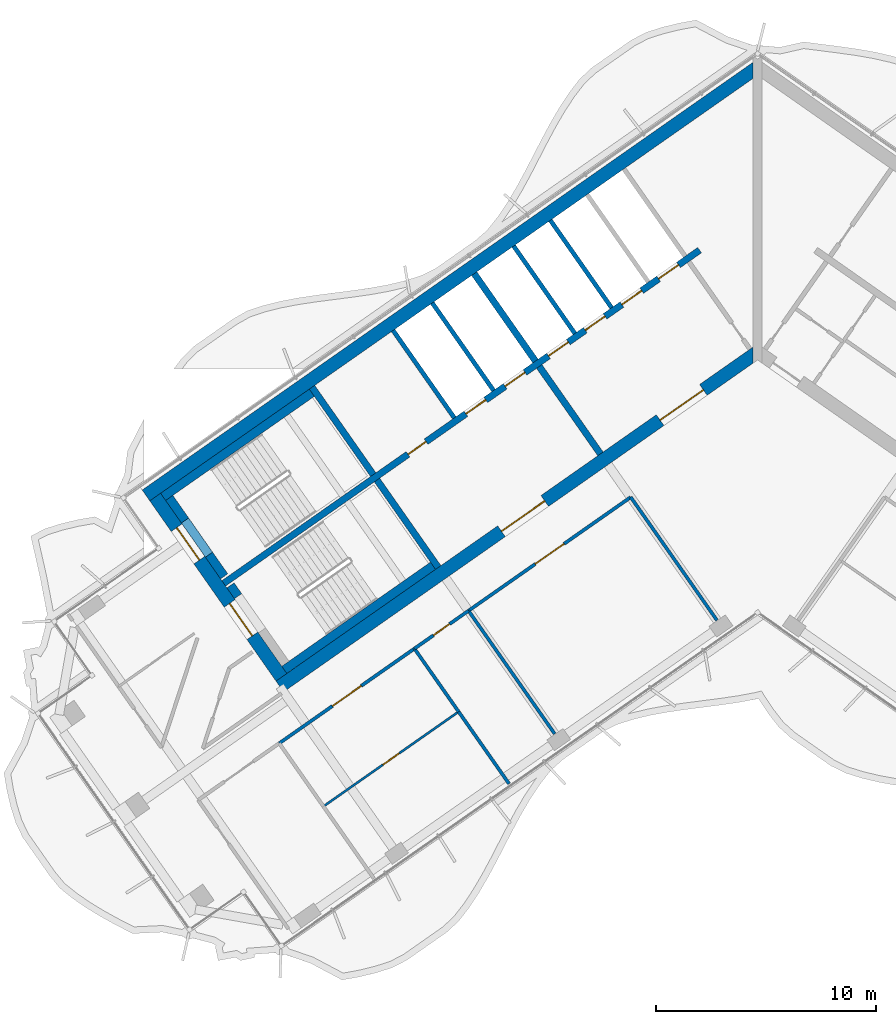
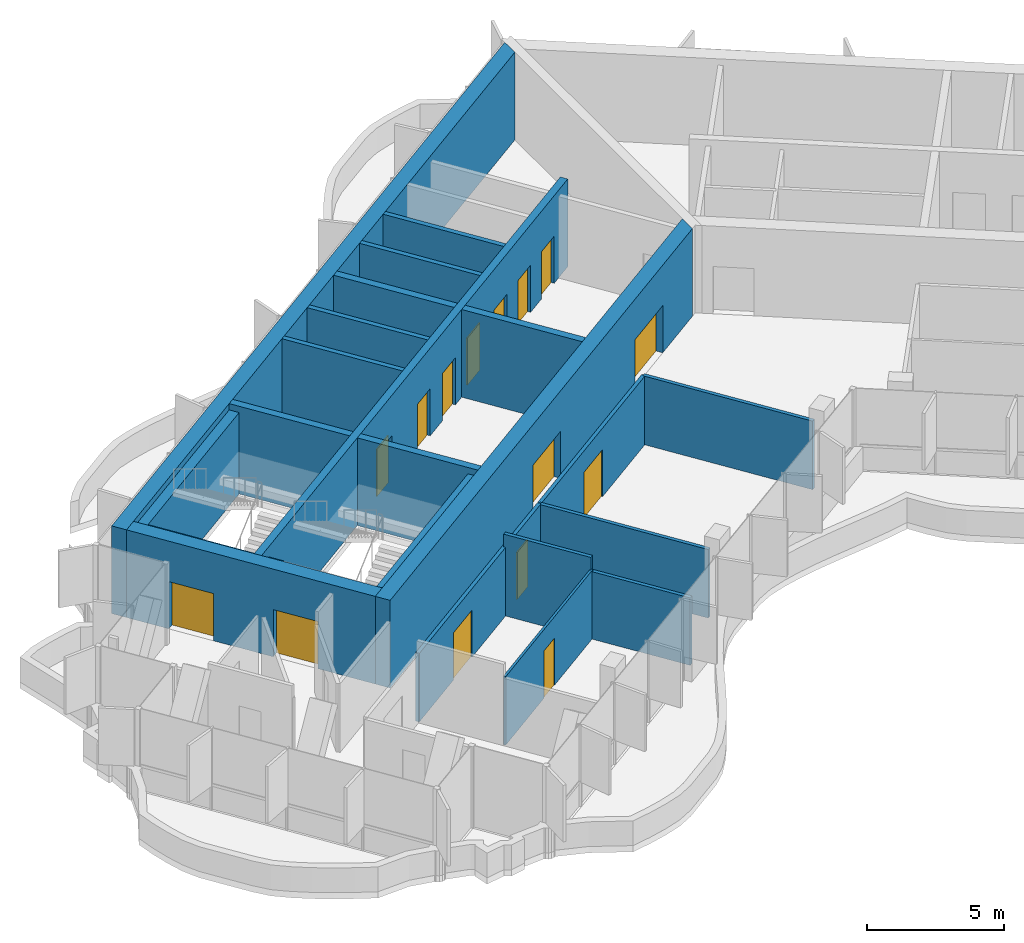
# One storey, part 9 of 17: 26 walls, 15 doors, 15 openings.
"""IFC4 building model written with IfcOpenShell, lengths in metres."""

from ifc_helpers import new_model, si_unit, direction, frame, frame_2d, origin, place, context, subcontext, project, spatial, polyline, rectangle, outline, extrude, material, layer, layer_set, type_object, element, fill, save


model = new_model("IFC4")

# Units and contexts
model_context = context("Model", 3, precision=1e-05, world=origin(), true_north=direction((0.0, 1.0)))
body_context = subcontext(model_context, "Body", "Model", "MODEL_VIEW")
ifc_project = project(units=[si_unit("LENGTHUNIT", "METRE"), si_unit("AREAUNIT", "SQUARE_METRE"), si_unit("VOLUMEUNIT", "CUBIC_METRE"), si_unit("PLANEANGLEUNIT", "RADIAN"), si_unit("MASSUNIT", "GRAM", prefix="KILO")], contexts=[model_context])

# Site, building, storey
site_placement = place(None, origin())
site = spatial("IfcSite", under=ifc_project, at=site_placement, CompositionType="ELEMENT")
building_placement = place(site_placement, origin())
building = spatial("IfcBuilding", under=site, at=building_placement, Name="Tel Ilan Convention Tower", CompositionType="ELEMENT")
storey_placement = place(building_placement, frame((0.0, 0.0, 291.699951171875)))
storey = spatial("IfcBuildingStorey", under=building, at=storey_placement, Name="L69", CompositionType="ELEMENT", Elevation=291.699951171875)

# Walls
ifc_material_1 = material(Name="Concrete C40/50", Category="concrete")
ifc_layer_1 = layer(ifc_material_1, 0.300048828125)
ifc_layer_set_1 = layer_set([ifc_layer_1], Name="Core Shear Wall 300 mm C40/50")
wall_type_1 = type_object("IfcWallType", Name="Core Shear Wall 300 mm C40/50", PredefinedType="SHEAR", material=ifc_layer_set_1)
wall_1_placement = place(storey_placement, frame((-7.142822265625, -5.48974609375, 0.0), z_axis=(0.0, 0.0, 1.0), x_axis=(-0.573617744349, 0.819123118565, 0.0)))
element("IfcWall", 1, at=wall_1_placement, inside=storey, type_object=wall_type_1, Name="L69 core wall W-cross1-1", PredefinedType="SHEAR", context=body_context, shape_type="SweptSolid", body=[
    extrude(outline(polyline([(4.85009765625, 0.14990234375), (0.0, 0.150146484375), (0.0, -0.14990234375), (4.85009765625, -0.150146484375), (4.85009765625, 0.14990234375)])), origin(), (0.0, 0.0, 1.0), 3.900146484375),
])
wall_2_placement = place(storey_placement, frame((-10.096923828125, -1.271240234375, 0.0), z_axis=(0.0, 0.0, 1.0), x_axis=(-0.573560315113, 0.819163332265, 0.0)))
element("IfcWall", 2, at=wall_2_placement, inside=storey, type_object=wall_type_1, Name="L69 core wall W-cross1-2", PredefinedType="SHEAR", context=body_context, shape_type="SweptSolid", body=[
    extrude(outline(polyline([(4.849853515625, -0.14990234375), (4.849853515625, 0.150146484375), (0.0, 0.14990234375), (0.0, -0.150146484375), (4.849853515625, -0.14990234375)])), origin(), (0.0, 0.0, 1.0), 3.900146484375),
])
wall_3_placement = place(storey_placement, frame((-14.515380859375, -10.652099609375, 0.0), z_axis=(0.0, 0.0, 1.0), x_axis=(-0.573560315113, 0.819163332265, 0.0)))
element("IfcWall", 3, at=wall_3_placement, inside=storey, type_object=wall_type_1, Name="L69 core wall W-cross2-1", PredefinedType="SHEAR", context=body_context, shape_type="SweptSolid", body=[
    extrude(outline(polyline([(4.85009765625, 0.14990234375), (0.0, 0.14990234375), (0.0, -0.150146484375), (4.85009765625, -0.14990234375), (4.85009765625, 0.14990234375)])), origin(), (0.0, 0.0, 1.0), 3.900146484375),
])
wall_4_placement = place(storey_placement, frame((-17.46923828125, -6.433349609375, 0.0), z_axis=(0.0, 0.0, 1.0), x_axis=(-0.573594092424, 0.81913968109, 0.0)))
element("IfcWall", 4, at=wall_4_placement, inside=storey, type_object=wall_type_1, Name="L69 core wall W-cross2-2", PredefinedType="SHEAR", context=body_context, shape_type="SweptSolid", body=[
    extrude(outline(polyline([(4.849853515625, -0.150146484375), (4.849853515625, 0.14990234375), (0.0, 0.14990234375), (0.0, -0.14990234375), (4.849853515625, -0.150146484375)])), origin(), (0.0, 0.0, 1.0), 3.900146484375),
])

# Wall, openings, doors
wall_5_placement = place(storey_placement, frame((-2.638427734375, 3.76806640625, 0.0), z_axis=(0.0, 0.0, 1.0), x_axis=(-0.819155014212, -0.573572194837, 0.0)))
wall_5 = element("IfcWall", 5, at=wall_5_placement, inside=storey, type_object=wall_type_1, Name="L69 core wall W-spine", PredefinedType="SHEAR", context=body_context, shape_type="SweptSolid", body=[
    extrude(outline(polyline([(26.39990234375, 0.150146484375), (0.0, 0.14990234375), (0.0, -0.150146484375), (26.39990234375, -0.14990234375), (26.39990234375, 0.150146484375)])), origin(), (0.0, 0.0, 1.0), 3.900146484375),
])
opening_1_placement = place(wall_5_placement, frame((1.168701171875, 0.0, 0.0)))
opening_1 = element("IfcOpeningElement", 6, at=opening_1_placement, cuts=wall_5, Name="Opening LD5204", PredefinedType="OPENING", context=body_context, shape_type="SweptSolid", body=[
    extrude(rectangle(XDim=1.10009765625, YDim=2.10009765625, at=frame_2d((0.550048828125, 1.050048828125))), frame((0.0, 0.159912109375, 0.0), z_axis=(0.0, -1.0, 0.0), x_axis=(1.0, 0.0, 0.0)), (0.0, 0.0, 1.0), 0.320068359375),
])
opening_2_placement = place(wall_5_placement, frame((3.206298828125, 0.0, 0.0)))
opening_2 = element("IfcOpeningElement", 7, at=opening_2_placement, cuts=wall_5, Name="Opening LD5205", PredefinedType="OPENING", context=body_context, shape_type="SweptSolid", body=[
    extrude(rectangle(XDim=1.10009765625, YDim=2.10009765625, at=frame_2d((0.550048828125, 1.050048828125))), frame((0.0, 0.159912109375, 0.0), z_axis=(0.0, -1.0, 0.0), x_axis=(1.0, 0.0, 0.0)), (0.0, 0.0, 1.0), 0.320068359375),
])
opening_3_placement = place(wall_5_placement, frame((5.24365234375, 0.0, 0.0)))
opening_3 = element("IfcOpeningElement", 8, at=opening_3_placement, cuts=wall_5, Name="Opening LD5206", PredefinedType="OPENING", context=body_context, shape_type="SweptSolid", body=[
    extrude(rectangle(XDim=1.10009765625, YDim=2.10009765625, at=frame_2d((0.550048828125, 1.050048828125))), frame((0.0, 0.159912109375, 0.0), z_axis=(0.0, -1.0, 0.0), x_axis=(1.0, 0.0, 0.0)), (0.0, 0.0, 1.0), 0.320068359375),
])
opening_4_placement = place(wall_5_placement, frame((7.28125, 0.0, 0.0)))
opening_4 = element("IfcOpeningElement", 9, at=opening_4_placement, cuts=wall_5, Name="Opening LD5207", PredefinedType="OPENING", context=body_context, shape_type="SweptSolid", body=[
    extrude(rectangle(XDim=1.10009765625, YDim=2.10009765625, at=frame_2d((0.550048828125, 1.050048828125))), frame((0.0, 0.159912109375, 0.0), z_axis=(0.0, -1.0, 0.0), x_axis=(1.0, 0.0, 0.0)), (0.0, 0.0, 1.0), 0.320068359375),
])
opening_5_placement = place(wall_5_placement, frame((9.6875, 0.0, 0.0)))
opening_5 = element("IfcOpeningElement", 10, at=opening_5_placement, cuts=wall_5, Name="Opening LD5208", PredefinedType="OPENING", context=body_context, shape_type="SweptSolid", body=[
    extrude(rectangle(XDim=1.10009765625, YDim=2.10009765625, at=frame_2d((0.550048828125, 1.050048828125))), frame((0.0, 0.159912109375, 0.0), z_axis=(0.0, -1.0, 0.0), x_axis=(1.0, 0.0, 0.0)), (0.0, 0.0, 1.0), 0.320068359375),
])
opening_6_placement = place(wall_5_placement, frame((11.862548828125, 0.0, 0.0)))
opening_6 = element("IfcOpeningElement", 11, at=opening_6_placement, cuts=wall_5, Name="Opening LD5209", PredefinedType="OPENING", context=body_context, shape_type="SweptSolid", body=[
    extrude(rectangle(XDim=1.10009765625, YDim=2.10009765625, at=frame_2d((0.550048828125, 1.050048828125))), frame((0.0, 0.159912109375, 0.0), z_axis=(0.0, -1.0, 0.0), x_axis=(1.0, 0.0, 0.0)), (0.0, 0.0, 1.0), 0.320068359375),
])
opening_7_placement = place(wall_5_placement, frame((15.175048828125, 0.0, 0.0)))
opening_7 = element("IfcOpeningElement", 12, at=opening_7_placement, cuts=wall_5, Name="Opening CD5209", PredefinedType="OPENING", context=body_context, shape_type="SweptSolid", body=[
    extrude(rectangle(XDim=1.0, YDim=2.10009765625, at=frame_2d((0.5, 1.050048828125))), frame((0.0, 0.159912109375, 0.0), z_axis=(0.0, -1.0, 0.0), x_axis=(1.0, 0.0, 0.0)), (0.0, 0.0, 1.0), 0.320068359375),
])
ifc_material_2 = material(Name="Stainless Steel Sliding Door Leaf", Category="steel")
door_type_1 = type_object("IfcDoorType", Name="Lift Landing Door 1100 x 2100 FD120", OperationType="NOTDEFINED", PredefinedType="DOOR", material=ifc_material_2)
door_1_placement = place(opening_1_placement, origin())
door_1 = element("IfcDoor", 13, at=door_1_placement, inside=storey, type_object=door_type_1, Name="Lift HR1 landing door", OperationType="SLIDING_TO_LEFT", OverallHeight=2.10009765625, OverallWidth=1.10009765625, PredefinedType="DOOR", context=body_context, shape_type="SweptSolid", body=[
    extrude(rectangle(XDim=1.10009765625, YDim=2.10009765625, at=frame_2d((0.550048828125, 1.050048828125))), frame((0.0, 0.02490234375, 0.0), z_axis=(0.0, -1.0, 0.0), x_axis=(1.0, 0.0, 0.0)), (0.0, 0.0, 1.0), 0.050048828125),
])
fill(opening_1, door_1)
door_2_placement = place(opening_2_placement, origin())
door_2 = element("IfcDoor", 14, at=door_2_placement, inside=storey, type_object=door_type_1, Name="Lift HR2 landing door", OperationType="SLIDING_TO_RIGHT", OverallHeight=2.10009765625, OverallWidth=1.10009765625, PredefinedType="DOOR", context=body_context, shape_type="SweptSolid", body=[
    extrude(rectangle(XDim=1.10009765625, YDim=2.10009765625, at=frame_2d((0.550048828125, 1.050048828125))), frame((0.0, 0.02490234375, 0.0), z_axis=(0.0, -1.0, 0.0), x_axis=(1.0, 0.0, 0.0)), (0.0, 0.0, 1.0), 0.050048828125),
])
fill(opening_2, door_2)
door_3_placement = place(opening_3_placement, origin())
door_3 = element("IfcDoor", 15, at=door_3_placement, inside=storey, type_object=door_type_1, Name="Lift HR3 landing door", OperationType="SLIDING_TO_LEFT", OverallHeight=2.10009765625, OverallWidth=1.10009765625, PredefinedType="DOOR", context=body_context, shape_type="SweptSolid", body=[
    extrude(rectangle(XDim=1.10009765625, YDim=2.10009765625, at=frame_2d((0.550048828125, 1.050048828125))), frame((0.0, 0.02490234375, 0.0), z_axis=(0.0, -1.0, 0.0), x_axis=(1.0, 0.0, 0.0)), (0.0, 0.0, 1.0), 0.050048828125),
])
fill(opening_3, door_3)
door_4_placement = place(opening_4_placement, origin())
door_4 = element("IfcDoor", 16, at=door_4_placement, inside=storey, type_object=door_type_1, Name="Lift HR4 landing door", OperationType="SLIDING_TO_RIGHT", OverallHeight=2.10009765625, OverallWidth=1.10009765625, PredefinedType="DOOR", context=body_context, shape_type="SweptSolid", body=[
    extrude(rectangle(XDim=1.10009765625, YDim=2.10009765625, at=frame_2d((0.550048828125, 1.050048828125))), frame((0.0, 0.02490234375, 0.0), z_axis=(0.0, -1.0, 0.0), x_axis=(1.0, 0.0, 0.0)), (0.0, 0.0, 1.0), 0.050048828125),
])
fill(opening_4, door_4)
door_5_placement = place(opening_5_placement, origin())
door_5 = element("IfcDoor", 17, at=door_5_placement, inside=storey, type_object=door_type_1, Name="Lift HR5 landing door", OperationType="SLIDING_TO_LEFT", OverallHeight=2.10009765625, OverallWidth=1.10009765625, PredefinedType="DOOR", context=body_context, shape_type="SweptSolid", body=[
    extrude(rectangle(XDim=1.10009765625, YDim=2.10009765625, at=frame_2d((0.550048828125, 1.050048828125))), frame((0.0, 0.02490234375, 0.0), z_axis=(0.0, -1.0, 0.0), x_axis=(1.0, 0.0, 0.0)), (0.0, 0.0, 1.0), 0.050048828125),
])
fill(opening_5, door_5)
door_6_placement = place(opening_6_placement, origin())
door_6 = element("IfcDoor", 18, at=door_6_placement, inside=storey, type_object=door_type_1, Name="Lift HR6 landing door", OperationType="SLIDING_TO_RIGHT", OverallHeight=2.10009765625, OverallWidth=1.10009765625, PredefinedType="DOOR", context=body_context, shape_type="SweptSolid", body=[
    extrude(rectangle(XDim=1.10009765625, YDim=2.10009765625, at=frame_2d((0.550048828125, 1.050048828125))), frame((0.0, 0.02490234375, 0.0), z_axis=(0.0, -1.0, 0.0), x_axis=(1.0, 0.0, 0.0)), (0.0, 0.0, 1.0), 0.050048828125),
])
fill(opening_6, door_6)
ifc_material_3 = material(Name="Galvanised Steel Door Leaf", Category="steel")
door_type_2 = type_object("IfcDoorType", Name="Service Room Door 1000 x 2100 FD60", OperationType="NOTDEFINED", PredefinedType="DOOR", material=ifc_material_3)
door_7_placement = place(opening_7_placement, origin())
door_7 = element("IfcDoor", 19, at=door_7_placement, inside=storey, type_object=door_type_2, Name="Plant Room door", OperationType="SINGLE_SWING_RIGHT", OverallHeight=2.10009765625, OverallWidth=1.0, PredefinedType="DOOR", context=body_context, shape_type="SweptSolid", body=[
    extrude(rectangle(XDim=1.0, YDim=2.10009765625, at=frame_2d((0.5, 1.050048828125))), frame((0.0, 0.02490234375, 0.0), z_axis=(0.0, -1.0, 0.0), x_axis=(1.0, 0.0, 0.0)), (0.0, 0.0, 1.0), 0.050048828125),
])
fill(opening_7, door_7)

# Wall
ifc_material_4 = material(Name="Concrete C40/50", Category="concrete")
ifc_layer_2 = layer(ifc_material_4, 0.60009765625)
ifc_layer_set_2 = layer_set([ifc_layer_2], Name="Core Shear Wall 600 mm C40/50")
wall_type_2 = type_object("IfcWallType", Name="Core Shear Wall 600 mm C40/50", PredefinedType="SHEAR", material=ifc_layer_set_2)
wall_6_placement = place(storey_placement, frame((-0.02783203125, 12.066162109375, 0.0), z_axis=(0.0, 0.0, 1.0), x_axis=(-0.819151382952, -0.573577380837, 0.0)))
element("IfcWall", 20, at=wall_6_placement, inside=storey, type_object=wall_type_2, Name="L69 core wall W-back", PredefinedType="SHEAR", context=body_context, shape_type="SweptSolid", body=[
    extrude(outline(polyline([(33.89794921875, 0.300048828125), (0.420166015625, 0.300048828125), (0.0, -0.300048828125), (33.898193359375, -0.300048828125), (33.89794921875, 0.300048828125)])), origin(), (0.0, 0.0, 1.0), 3.900146484375),
])

# Wall, openings, doors
wall_7_placement = place(storey_placement, frame((-0.02783203125, -0.8740234375, 0.0), z_axis=(0.0, 0.0, 1.0), x_axis=(-0.819150035022, -0.573579305871, 0.0)))
wall_7 = element("IfcWall", 21, at=wall_7_placement, inside=storey, type_object=wall_type_2, Name="L69 core wall W-front", PredefinedType="SHEAR", context=body_context, shape_type="SweptSolid", body=[
    extrude(outline(polyline([(26.475830078125, 0.2998046875), (0.420166015625, 0.300048828125), (0.000244140625, -0.300048828125), (26.475830078125, -0.300048828125), (26.475830078125, 0.2998046875)])), origin(), (0.0, 0.0, 1.0), 3.900146484375),
])
opening_8_placement = place(wall_7_placement, frame((2.975830078125, 0.0, 0.0)))
opening_8 = element("IfcOpeningElement", 22, at=opening_8_placement, cuts=wall_7, Name="Opening CD5206", PredefinedType="OPENING", context=body_context, shape_type="SweptSolid", body=[
    extrude(rectangle(XDim=2.39990234375, YDim=2.10009765625, at=frame_2d((1.199951171875, 1.050048828125))), frame((0.0, 0.31005859375, 0.0), z_axis=(0.0, -1.0, 0.0), x_axis=(1.0, 0.0, 0.0)), (0.0, 0.0, 1.0), 0.6201171875),
])
opening_9_placement = place(wall_7_placement, frame((11.77587890625, 0.0, 0.0)))
opening_9 = element("IfcOpeningElement", 23, at=opening_9_placement, cuts=wall_7, Name="Opening CD5207", PredefinedType="OPENING", context=body_context, shape_type="SweptSolid", body=[
    extrude(rectangle(XDim=2.39990234375, YDim=2.10009765625, at=frame_2d((1.199951171875, 1.050048828125))), frame((0.0, 0.31005859375, 0.0), z_axis=(0.0, -1.0, 0.0), x_axis=(1.0, 0.0, 0.0)), (0.0, 0.0, 1.0), 0.6201171875),
])
ifc_material_5 = material(Name="Glazed Aluminium Door Leaf", Category="aluminium")
door_type_3 = type_object("IfcDoorType", Name="Lobby Opening Door 2400 x 2100 FD60S", OperationType="NOTDEFINED", PredefinedType="DOOR", material=ifc_material_5)
door_8_placement = place(opening_8_placement, origin())
door_8 = element("IfcDoor", 24, at=door_8_placement, inside=storey, type_object=door_type_3, Name="Lift Lobby HR1-HR4 opening", OperationType="DOUBLE_DOOR_SINGLE_SWING", OverallHeight=2.10009765625, OverallWidth=2.39990234375, PredefinedType="DOOR", context=body_context, shape_type="SweptSolid", body=[
    extrude(rectangle(XDim=2.39990234375, YDim=2.10009765625, at=frame_2d((1.199951171875, 1.050048828125))), frame((0.0, 0.02490234375, 0.0), z_axis=(0.0, -1.0, 0.0), x_axis=(1.0, 0.0, 0.0)), (0.0, 0.0, 1.0), 0.050048828125),
])
fill(opening_8, door_8)
door_9_placement = place(opening_9_placement, origin())
door_9 = element("IfcDoor", 25, at=door_9_placement, inside=storey, type_object=door_type_3, Name="Lift Lobby HR5-HR6 opening", OperationType="DOUBLE_DOOR_SINGLE_SWING", OverallHeight=2.10009765625, OverallWidth=2.39990234375, PredefinedType="DOOR", context=body_context, shape_type="SweptSolid", body=[
    extrude(rectangle(XDim=2.39990234375, YDim=2.10009765625, at=frame_2d((1.199951171875, 1.050048828125))), frame((0.0, 0.02490234375, 0.0), z_axis=(0.0, -1.0, 0.0), x_axis=(1.0, 0.0, 0.0)), (0.0, 0.0, 1.0), 0.050048828125),
])
fill(opening_9, door_9)

wall_8_placement = place(storey_placement, frame((-21.641845703125, -15.64208984375, 0.0), z_axis=(0.0, 0.0, 1.0), x_axis=(-0.573586866468, 0.819144740944, 0.0)))
wall_8 = element("IfcWall", 26, at=wall_8_placement, inside=storey, type_object=wall_type_2, Name="L69 core wall W-end", PredefinedType="SHEAR", context=body_context, shape_type="SweptSolid", body=[
    extrude(outline(polyline([(0.0, 0.300048828125), (0.0, -0.2998046875), (10.0, -0.300048828125), (10.0, 0.300048828125), (0.0, 0.300048828125)])), origin(), (0.0, 0.0, 1.0), 3.900146484375),
])
opening_10_placement = place(wall_8_placement, frame((6.5, 0.0, 0.0)))
opening_10 = element("IfcOpeningElement", 27, at=opening_10_placement, cuts=wall_8, Name="Opening SD5201", PredefinedType="OPENING", context=body_context, shape_type="SweptSolid", body=[
    extrude(rectangle(XDim=1.800048828125, YDim=2.10009765625, at=frame_2d((0.89990234375, 1.050048828125))), frame((0.0, 0.31005859375, 0.0), z_axis=(0.0, -1.0, 0.0), x_axis=(1.0, 0.0, 0.0)), (0.0, 0.0, 1.0), 0.6201171875),
])
opening_11_placement = place(wall_8_placement, frame((2.300048828125, 0.0, 0.0)))
opening_11 = element("IfcOpeningElement", 28, at=opening_11_placement, cuts=wall_8, Name="Opening SD5202", PredefinedType="OPENING", context=body_context, shape_type="SweptSolid", body=[
    extrude(rectangle(XDim=1.800048828125, YDim=2.10009765625, at=frame_2d((0.89990234375, 1.050048828125))), frame((0.0, 0.31005859375, 0.0), z_axis=(0.0, -1.0, 0.0), x_axis=(1.0, 0.0, 0.0)), (0.0, 0.0, 1.0), 0.6201171875),
])
ifc_material_6 = material(Name="Galvanised Steel Door Leaf", Category="steel")
door_type_4 = type_object("IfcDoorType", Name="Stair Fire Door 1800 x 2100 FD60S", OperationType="NOTDEFINED", PredefinedType="DOOR", material=ifc_material_6)
door_10_placement = place(opening_10_placement, origin())
door_10 = element("IfcDoor", 29, at=door_10_placement, inside=storey, type_object=door_type_4, Name="Stair S1 door", OperationType="DOUBLE_DOOR_SINGLE_SWING", OverallHeight=2.10009765625, OverallWidth=1.800048828125, PredefinedType="DOOR", context=body_context, shape_type="SweptSolid", body=[
    extrude(rectangle(XDim=1.800048828125, YDim=2.10009765625, at=frame_2d((0.89990234375, 1.050048828125))), frame((0.0, 0.02490234375, 0.0), z_axis=(0.0, -1.0, 0.0), x_axis=(1.0, 0.0, 0.0)), (0.0, 0.0, 1.0), 0.050048828125),
])
fill(opening_10, door_10)
door_11_placement = place(opening_11_placement, origin())
door_11 = element("IfcDoor", 30, at=door_11_placement, inside=storey, type_object=door_type_4, Name="Stair S2 door", OperationType="DOUBLE_DOOR_SINGLE_SWING", OverallHeight=2.10009765625, OverallWidth=1.800048828125, PredefinedType="DOOR", context=body_context, shape_type="SweptSolid", body=[
    extrude(rectangle(XDim=1.800048828125, YDim=2.10009765625, at=frame_2d((0.89990234375, 1.050048828125))), frame((0.0, 0.02490234375, 0.0), z_axis=(0.0, -1.0, 0.0), x_axis=(1.0, 0.0, 0.0)), (0.0, 0.0, 1.0), 0.050048828125),
])
fill(opening_11, door_11)

# Wall, opening, door
ifc_material_7 = material(Name="Plasterboard on Steel Studs", Category="steel")
ifc_layer_3 = layer(ifc_material_7, 0.14990234375)
ifc_layer_set_3 = layer_set([ifc_layer_3], Name="Fire-rated Partition 150 EI 60")
wall_type_3 = type_object("IfcWallType", Name="Fire-rated Partition 150 EI 60", PredefinedType="PARTITIONING", material=ifc_layer_set_3)
wall_9_placement = place(storey_placement, frame((-5.766357421875, -7.455810546875, 0.0), z_axis=(0.0, 0.0, 1.0), x_axis=(-0.81915291695, -0.57357519006, 0.0)))
wall_9 = element("IfcWall", 31, at=wall_9_placement, inside=storey, type_object=wall_type_3, Name="Partition 006", PredefinedType="PARTITIONING", context=body_context, shape_type="SweptSolid", body=[
    extrude(rectangle(XDim=9.001953125, YDim=0.14990234375, at=frame_2d((4.5009765625, 0.0))), origin(), (0.0, 0.0, 1.0), 3.050048828125),
])
opening_12_placement = place(wall_9_placement, frame((3.700927734375, 0.0, 0.0)))
opening_12 = element("IfcOpeningElement", 32, at=opening_12_placement, cuts=wall_9, Name="Opening L69-001", PredefinedType="OPENING", context=body_context, shape_type="SweptSolid", body=[
    extrude(rectangle(XDim=1.60009765625, YDim=2.10009765625, at=frame_2d((0.800048828125, 1.050048828125))), frame((0.0, 0.0849609375, 0.0), z_axis=(0.0, -1.0, 0.0), x_axis=(1.0, 0.0, 0.0)), (0.0, 0.0, 1.0), 0.169921875),
])
ifc_material_8 = material(Name="Timber Door Leaf in Steel Frame", Category="steel")
door_type_5 = type_object("IfcDoorType", Name="Tenant Suite Entrance Fire Door 1600x2100", OperationType="NOTDEFINED", PredefinedType="DOOR", material=ifc_material_8)
door_12_placement = place(opening_12_placement, origin())
door_12 = element("IfcDoor", 33, at=door_12_placement, inside=storey, type_object=door_type_5, Name="Door L69-001", OperationType="DOUBLE_DOOR_SINGLE_SWING", OverallHeight=2.10009765625, OverallWidth=1.60009765625, PredefinedType="DOOR", context=body_context, shape_type="SweptSolid", body=[
    extrude(rectangle(XDim=1.60009765625, YDim=2.10009765625, at=frame_2d((0.800048828125, 1.050048828125))), frame((0.0, 0.02490234375, 0.0), z_axis=(0.0, -1.0, 0.0), x_axis=(1.0, 0.0, 0.0)), (0.0, 0.0, 1.0), 0.050048828125),
])
fill(opening_12, door_12)

wall_10_placement = place(storey_placement, frame((-13.13720703125, -12.616943359375, 0.0), z_axis=(0.0, 0.0, 1.0), x_axis=(-0.81916700466, -0.573555070134, 0.0)))
wall_10 = element("IfcWall", 34, at=wall_10_placement, inside=storey, type_object=wall_type_3, Name="Partition 007", PredefinedType="PARTITIONING", context=body_context, shape_type="SweptSolid", body=[
    extrude(rectangle(XDim=3.00390625, YDim=0.14990234375, at=frame_2d((1.501953125, 0.0))), origin(), (0.0, 0.0, 1.0), 3.050048828125),
])
opening_13_placement = place(wall_10_placement, frame((1.052001953125, 0.0, 0.0)))
opening_13 = element("IfcOpeningElement", 35, at=opening_13_placement, cuts=wall_10, Name="Opening L69-002", PredefinedType="OPENING", context=body_context, shape_type="SweptSolid", body=[
    extrude(rectangle(XDim=0.89990234375, YDim=2.10009765625, at=frame_2d((0.449951171875, 1.050048828125))), frame((0.0, 0.0849609375, 0.0), z_axis=(0.0, -1.0, 0.0), x_axis=(1.0, 0.0, 0.0)), (0.0, 0.0, 1.0), 0.169921875),
])
ifc_material_9 = material(Name="Timber Door Leaf in Steel Frame", Category="steel")
door_type_6 = type_object("IfcDoorType", Name="Room Fire Door 900x2100", OperationType="NOTDEFINED", PredefinedType="DOOR", material=ifc_material_9)
door_13_placement = place(opening_13_placement, origin())
door_13 = element("IfcDoor", 36, at=door_13_placement, inside=storey, type_object=door_type_6, Name="Door L69-002", OperationType="SINGLE_SWING_LEFT", OverallHeight=2.10009765625, OverallWidth=0.89990234375, PredefinedType="DOOR", context=body_context, shape_type="SweptSolid", body=[
    extrude(rectangle(XDim=0.89990234375, YDim=2.10009765625, at=frame_2d((0.449951171875, 1.050048828125))), frame((0.0, 0.02490234375, 0.0), z_axis=(0.0, -1.0, 0.0), x_axis=(1.0, 0.0, 0.0)), (0.0, 0.0, 1.0), 0.050048828125),
])
fill(opening_13, door_13)

wall_11_placement = place(storey_placement, frame((-15.594482421875, -14.337646484375, 0.0), z_axis=(0.0, 0.0, 1.0), x_axis=(-0.819164661457, -0.573558416746, 0.0)))
wall_11 = element("IfcWall", 37, at=wall_11_placement, inside=storey, type_object=wall_type_3, Name="Partition 008", PredefinedType="PARTITIONING", context=body_context, shape_type="SweptSolid", body=[
    extrude(rectangle(XDim=7.50390625, YDim=0.14990234375, at=frame_2d((3.751953125, 0.0))), origin(), (0.0, 0.0, 1.0), 3.050048828125),
])
opening_14_placement = place(wall_11_placement, frame((2.951904296875, 0.0, 0.0)))
opening_14 = element("IfcOpeningElement", 38, at=opening_14_placement, cuts=wall_11, Name="Opening L69-003", PredefinedType="OPENING", context=body_context, shape_type="SweptSolid", body=[
    extrude(rectangle(XDim=1.60009765625, YDim=2.10009765625, at=frame_2d((0.800048828125, 1.050048828125))), frame((0.0, 0.0849609375, 0.0), z_axis=(0.0, -1.0, 0.0), x_axis=(1.0, 0.0, 0.0)), (0.0, 0.0, 1.0), 0.169921875),
])
door_14_placement = place(opening_14_placement, origin())
door_14 = element("IfcDoor", 39, at=door_14_placement, inside=storey, type_object=door_type_5, Name="Door L69-003", OperationType="DOUBLE_DOOR_SINGLE_SWING", OverallHeight=2.10009765625, OverallWidth=1.60009765625, PredefinedType="DOOR", context=body_context, shape_type="SweptSolid", body=[
    extrude(rectangle(XDim=1.60009765625, YDim=2.10009765625, at=frame_2d((0.800048828125, 1.050048828125))), frame((0.0, 0.02490234375, 0.0), z_axis=(0.0, -1.0, 0.0), x_axis=(1.0, 0.0, 0.0)), (0.0, 0.0, 1.0), 0.050048828125),
])
fill(opening_14, door_14)

# Walls
wall_12_placement = place(storey_placement, frame((-1.848876953125, -13.050537109375, 0.0), z_axis=(0.0, 0.0, 1.0), x_axis=(-0.57357985571, 0.819149650018, 0.0)))
element("IfcWall", 40, at=wall_12_placement, inside=storey, type_object=wall_type_3, Name="Partition 021", PredefinedType="PARTITIONING", context=body_context, shape_type="SweptSolid", body=[
    extrude(rectangle(XDim=6.83203125, YDim=0.14990234375, at=frame_2d((3.416015625, 0.0))), origin(), (0.0, 0.0, 1.0), 3.050048828125),
])
wall_13_placement = place(storey_placement, frame((-9.22119140625, -18.212890625, 0.0), z_axis=(0.0, 0.0, 1.0), x_axis=(-0.573560698343, 0.819163063936, 0.0)))
element("IfcWall", 41, at=wall_13_placement, inside=storey, type_object=wall_type_3, Name="Partition 029", PredefinedType="PARTITIONING", context=body_context, shape_type="SweptSolid", body=[
    extrude(rectangle(XDim=6.830078125, YDim=0.14990234375, at=frame_2d((3.4150390625, 0.0))), origin(), (0.0, 0.0, 1.0), 3.050048828125),
])
wall_14_placement = place(storey_placement, frame((-11.29443359375, -20.482421875, 0.0), z_axis=(0.0, 0.0, 1.0), x_axis=(-0.573523771938, 0.819188917785, 0.0)))
element("IfcWall", 42, at=wall_14_placement, inside=storey, type_object=wall_type_3, Name="Partition 030", PredefinedType="PARTITIONING", context=body_context, shape_type="SweptSolid", body=[
    extrude(rectangle(XDim=4.0009765625, YDim=0.14990234375, at=frame_2d((2.00048828125, 0.0))), origin(), (0.0, 0.0, 1.0), 3.0),
])
wall_15_placement = place(storey_placement, frame((-13.58740234375, -17.20751953125, 0.0), z_axis=(0.0, 0.0, 1.0), x_axis=(-0.573569944718, 0.819156589741, 0.0)))
element("IfcWall", 43, at=wall_15_placement, inside=storey, type_object=wall_type_3, Name="Partition 031", PredefinedType="PARTITIONING", context=body_context, shape_type="SweptSolid", body=[
    extrude(rectangle(XDim=3.502197265625, YDim=0.14990234375, at=frame_2d((1.7509765625, 0.0))), origin(), (0.0, 0.0, 1.0), 3.6201171875),
])
ifc_material_10 = material(Name="Concrete C30/37", Category="concrete")
ifc_layer_4 = layer(ifc_material_10, 0.199951171875)
ifc_layer_set_4 = layer_set([ifc_layer_4], Name="Lift Shaft Wall 200 mm C30/37")
wall_type_4 = type_object("IfcWallType", Name="Lift Shaft Wall 200 mm C30/37", PredefinedType="SOLIDWALL", material=ifc_layer_set_4)
wall_16_placement = place(storey_placement, frame((-6.635986328125, 1.152099609375, 0.0), z_axis=(0.0, 0.0, 1.0), x_axis=(-0.573560315113, 0.819163332265, 0.0)))
element("IfcWall", 44, at=wall_16_placement, inside=storey, type_object=wall_type_4, Name="L69 core wall bank-W1-p1", PredefinedType="SOLIDWALL", context=body_context, shape_type="SweptSolid", body=[
    extrude(rectangle(XDim=4.849853515625, YDim=0.199951171875, at=frame_2d((2.4248046875, 0.0))), origin(), (0.0, 0.0, 1.0), 3.900146484375),
])
wall_17_placement = place(storey_placement, frame((-8.304931640625, -0.0166015625, 0.0), z_axis=(0.0, 0.0, 1.0), x_axis=(-0.573594092424, 0.81913968109, 0.0)))
element("IfcWall", 45, at=wall_17_placement, inside=storey, type_object=wall_type_4, Name="L69 core wall bank-W1-p2", PredefinedType="SOLIDWALL", context=body_context, shape_type="SweptSolid", body=[
    extrude(rectangle(XDim=4.85009765625, YDim=0.199951171875, at=frame_2d((2.425048828125, 0.0))), origin(), (0.0, 0.0, 1.0), 3.900146484375),
])
wall_18_placement = place(storey_placement, frame((-12.00146484375, -2.604736328125, 0.0), z_axis=(0.0, 0.0, 1.0), x_axis=(-0.573560315113, 0.819163332265, 0.0)))
element("IfcWall", 46, at=wall_18_placement, inside=storey, type_object=wall_type_4, Name="L69 core wall bank-W2-p0", PredefinedType="SOLIDWALL", context=body_context, shape_type="SweptSolid", body=[
    extrude(rectangle(XDim=4.849853515625, YDim=0.199951171875, at=frame_2d((2.4248046875, 0.0))), origin(), (0.0, 0.0, 1.0), 3.900146484375),
])
wall_19_placement = place(storey_placement, frame((-13.782958984375, -3.852294921875, 0.0), z_axis=(0.0, 0.0, 1.0), x_axis=(-0.573594092424, 0.81913968109, 0.0)))
element("IfcWall", 47, at=wall_19_placement, inside=storey, type_object=wall_type_4, Name="L69 core wall bank-W2-p1", PredefinedType="SOLIDWALL", context=body_context, shape_type="SweptSolid", body=[
    extrude(rectangle(XDim=4.85009765625, YDim=0.199951171875, at=frame_2d((2.425048828125, 0.0))), origin(), (0.0, 0.0, 1.0), 3.900146484375),
])

# Wall, opening, door
ifc_material_11 = material(Name="Plasterboard on Steel Studs", Category="steel")
ifc_layer_5 = layer(ifc_material_11, 0.10009765625)
ifc_layer_set_5 = layer_set([ifc_layer_5], Name="Plasterboard Partition 100")
wall_type_5 = type_object("IfcWallType", Name="Plasterboard Partition 100", PredefinedType="PARTITIONING", material=ifc_layer_set_5)
wall_20_placement = place(storey_placement, frame((-13.588134765625, -17.20654296875, 0.0), z_axis=(0.0, 0.0, 1.0), x_axis=(-0.81915238829, -0.573575945067, 0.0)))
wall_20 = element("IfcWall", 48, at=wall_20_placement, inside=storey, type_object=wall_type_5, Name="Partition 032", PredefinedType="PARTITIONING", context=body_context, shape_type="SweptSolid", body=[
    extrude(rectangle(XDim=7.5, YDim=0.10009765625, at=frame_2d((3.75, 0.0))), origin(), (0.0, 0.0, 1.0), 3.050048828125),
])
opening_15_placement = place(wall_20_placement, frame((3.300048828125, 0.0, 0.0)))
opening_15 = element("IfcOpeningElement", 49, at=opening_15_placement, cuts=wall_20, Name="Opening L69-004", PredefinedType="OPENING", context=body_context, shape_type="SweptSolid", body=[
    extrude(rectangle(XDim=0.89990234375, YDim=2.10009765625, at=frame_2d((0.449951171875, 1.050048828125))), frame((0.0, 0.06005859375, 0.0), z_axis=(0.0, -1.0, 0.0), x_axis=(1.0, 0.0, 0.0)), (0.0, 0.0, 1.0), 0.1201171875),
])
ifc_material_12 = material(Name="Timber Door Leaf in Steel Frame", Category="steel")
door_type_7 = type_object("IfcDoorType", Name="Room Timber Door 900x2100", OperationType="NOTDEFINED", PredefinedType="DOOR", material=ifc_material_12)
door_15_placement = place(opening_15_placement, origin())
door_15 = element("IfcDoor", 50, at=door_15_placement, inside=storey, type_object=door_type_7, Name="Door L69-004", OperationType="SINGLE_SWING_LEFT", OverallHeight=2.10009765625, OverallWidth=0.89990234375, PredefinedType="DOOR", context=body_context, shape_type="SweptSolid", body=[
    extrude(rectangle(XDim=0.89990234375, YDim=2.10009765625, at=frame_2d((0.449951171875, 1.050048828125))), frame((0.0, 0.02490234375, 0.0), z_axis=(0.0, -1.0, 0.0), x_axis=(1.0, 0.0, 0.0)), (0.0, 0.0, 1.0), 0.050048828125),
])
fill(opening_15, door_15)

# Walls
ifc_material_13 = material(Name="Concrete C30/37", Category="concrete")
ifc_layer_6 = layer(ifc_material_13, 0.39990234375)
ifc_layer_set_6 = layer_set([ifc_layer_6], Name="Stair and Shaft Lining Wall 400 mm C30/37")
wall_type_6 = type_object("IfcWallType", Name="Stair and Shaft Lining Wall 400 mm C30/37", PredefinedType="SOLIDWALL", material=ifc_layer_set_6)
wall_21_placement = place(storey_placement, frame((-20.25927734375, -2.71044921875, 0.0), z_axis=(0.0, 0.0, 1.0), x_axis=(-0.81914849389, -0.573581506813, 0.0)))
element("IfcWall", 51, at=wall_21_placement, inside=storey, type_object=wall_type_6, Name="L69 core wall lining-S1-t1", PredefinedType="SOLIDWALL", context=body_context, shape_type="SweptSolid", body=[
    extrude(rectangle(XDim=8.249755859375, YDim=0.39990234375, at=frame_2d((4.125, 0.0))), origin(), (0.0, 0.0, 1.0), 3.6201171875),
])
wall_22_placement = place(storey_placement, frame((-24.24365234375, -11.0546875, 0.0), z_axis=(0.0, 0.0, 1.0), x_axis=(-0.573571582932, 0.819155442668, 0.0)))
element("IfcWall", 52, at=wall_22_placement, inside=storey, type_object=wall_type_6, Name="L69 core wall lining-S1-u1-0", PredefinedType="SOLIDWALL", context=body_context, shape_type="SweptSolid", body=[
    extrude(rectangle(XDim=1.199951171875, YDim=0.39990234375, at=frame_2d((0.60009765625, 0.0))), origin(), (0.0, 0.0, 1.0), 3.6201171875),
])
wall_23_placement = place(storey_placement, frame((-26.021728515625, -8.515380859375, 0.0), z_axis=(0.0, 0.0, 1.0), x_axis=(-0.573619628835, 0.819121798889, 0.0)))
element("IfcWall", 53, at=wall_23_placement, inside=storey, type_object=wall_type_6, Name="L69 core wall lining-S1-u1-1", PredefinedType="SOLIDWALL", context=body_context, shape_type="SweptSolid", body=[
    extrude(rectangle(XDim=1.25, YDim=0.39990234375, at=frame_2d((0.625, 0.0))), origin(), (0.0, 0.0, 1.0), 3.6201171875),
])
wall_24_placement = place(storey_placement, frame((-24.931884765625, -10.07177734375, 2.150146484375), z_axis=(0.0, 0.0, 1.0), x_axis=(-0.573591692345, 0.819141361715, 0.0)))
element("IfcWall", 54, at=wall_24_placement, inside=storey, type_object=wall_type_6, Name="L69 core wall lining-S1-u1-lintel", PredefinedType="SOLIDWALL", context=body_context, shape_type="SweptSolid", body=[
    extrude(rectangle(XDim=1.900146484375, YDim=0.39990234375, at=frame_2d((0.9501953125, 0.0))), origin(), (0.0, 0.0, 1.0), 1.469970703125),
])
wall_25_placement = place(storey_placement, frame((-14.7529296875, -10.57421875, 0.0), z_axis=(0.0, 0.0, 1.0), x_axis=(-0.819158229677, -0.573567602601, 0.0)))
element("IfcWall", 55, at=wall_25_placement, inside=storey, type_object=wall_type_6, Name="L69 core wall lining-S2-t0", PredefinedType="SOLIDWALL", context=body_context, shape_type="SweptSolid", body=[
    extrude(rectangle(XDim=8.25, YDim=0.39990234375, at=frame_2d((4.125, 0.0))), origin(), (0.0, 0.0, 1.0), 3.6201171875),
])
wall_26_placement = place(storey_placement, frame((-23.61279296875, -11.955810546875, 0.0), z_axis=(0.0, 0.0, 1.0), x_axis=(-0.573435029941, 0.819251039936, 0.0)))
element("IfcWall", 56, at=wall_26_placement, inside=storey, type_object=wall_type_6, Name="L69 core wall lining-S2-u1-1", PredefinedType="SOLIDWALL", context=body_context, shape_type="SweptSolid", body=[
    extrude(rectangle(XDim=0.599853515625, YDim=0.39990234375, at=frame_2d((0.2998046875, 0.0))), origin(), (0.0, 0.0, 1.0), 3.6201171875),
])

save(model, "model.ifc")
